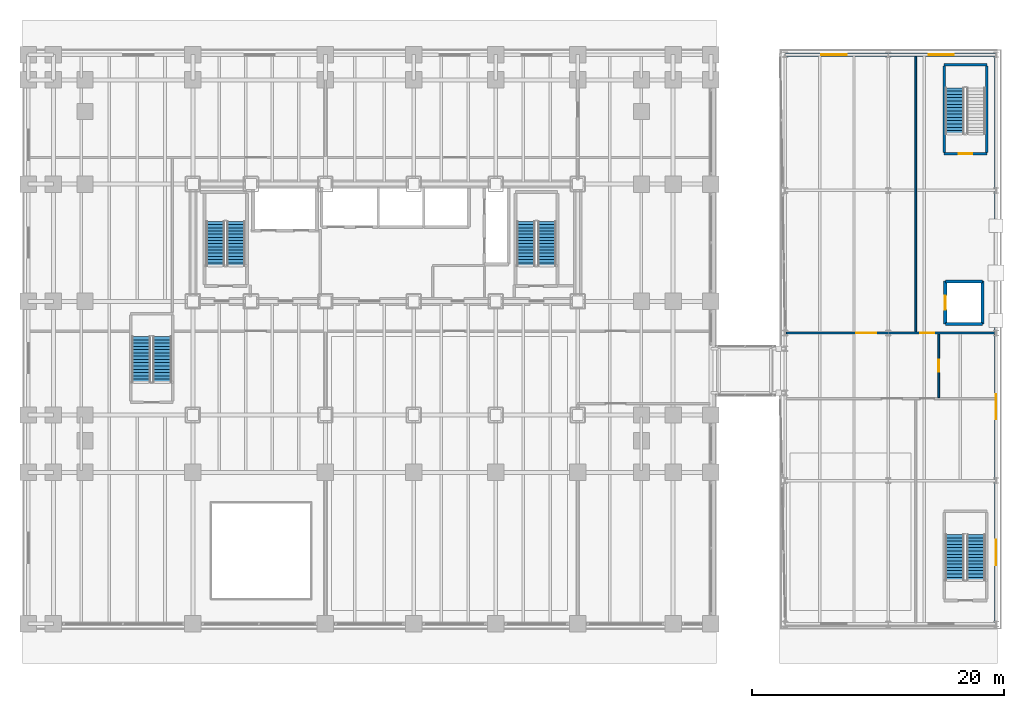
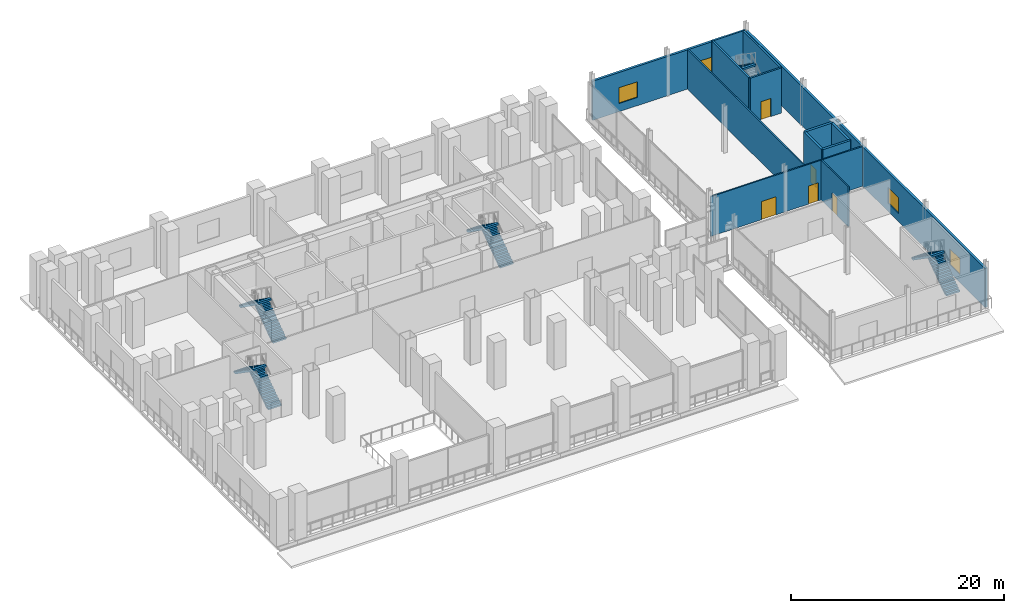
# One storey, part 22 of 32: 13 walls, 9 stair flights, 5 doors, 4 windows, 9 openings, 5 elements without a shape of their own.
"""IFC4 building model written with IfcOpenShell, lengths in metres."""

from ifc_helpers import new_model, si_unit, direction, frame, frame_2d, origin, place, context, subcontext, project, spatial, polyline, rectangle, outline, extrude, material, layer, layer_set, type_object, element, fill, aggregate, save


model = new_model("IFC4")

# Units and contexts
model_context = context("Model", 3, precision=1e-05, world=origin(), true_north=direction((0.0, 1.0)))
body_context = subcontext(model_context, "Body", "Model", "MODEL_VIEW")
ifc_project = project(units=[si_unit("LENGTHUNIT", "METRE"), si_unit("AREAUNIT", "SQUARE_METRE"), si_unit("VOLUMEUNIT", "CUBIC_METRE"), si_unit("PLANEANGLEUNIT", "RADIAN"), si_unit("MASSUNIT", "GRAM", prefix="KILO")], contexts=[model_context])

# Site, building, storey
site_placement = place(None, origin())
site = spatial("IfcSite", under=ifc_project, at=site_placement, CompositionType="ELEMENT")
building_placement = place(site_placement, origin())
building = spatial("IfcBuilding", under=site, at=building_placement, Name="Noeulbin Bourse Tower", CompositionType="ELEMENT")
storey_placement = place(building_placement, frame((0.0, 0.0, 5.800048828125)))
storey = spatial("IfcBuildingStorey", under=building, at=storey_placement, Name="L02", CompositionType="ELEMENT", Elevation=5.800048828125)

# Wall, openings, windows
ifc_material_1 = material(Name="Precast Concrete C40/50", Category="concrete")
ifc_layer_1 = layer(ifc_material_1, 0.25)
ifc_layer_set_1 = layer_set([ifc_layer_1], Name="Precast Concrete C40/50")
wall_type_1 = type_object("IfcWallType", Name="WAL-EXT-250", PredefinedType="STANDARD", material=ifc_layer_set_1)
wall_1_placement = place(storey_placement, frame((60.449951171875, 48.550048828125, 0.0), z_axis=(0.0, 0.0, 1.0), x_axis=(1.0, 0.0, 0.0)))
wall_1 = element("IfcWall", 1, at=wall_1_placement, inside=storey, type_object=wall_type_1, Name="Market Hall North Wall L02", PredefinedType="STANDARD", context=body_context, shape_type="SweptSolid", body=[
    extrude(rectangle(XDim=16.699951171875, YDim=0.25, at=frame_2d((8.35009765625, 0.0))), origin(), (0.0, 0.0, 1.0), 4.5),
])
opening_1_placement = place(wall_1_placement, frame((2.85009765625, 0.0, 0.949951171875)))
opening_1 = element("IfcOpeningElement", 2, at=opening_1_placement, cuts=wall_1, Name="Opening W-02", PredefinedType="OPENING", context=body_context, shape_type="SweptSolid", body=[
    extrude(rectangle(XDim=2.0, YDim=1.800048828125, at=frame_2d((1.0, 0.89990234375))), frame((0.0, 0.135009765625, 0.0), z_axis=(0.0, -1.0, 0.0), x_axis=(1.0, 0.0, 0.0)), (0.0, 0.0, 1.0), 0.27001953125),
])
opening_2_placement = place(wall_1_placement, frame((11.35009765625, 0.0, 0.949951171875)))
opening_2 = element("IfcOpeningElement", 3, at=opening_2_placement, cuts=wall_1, Name="Opening W-02", PredefinedType="OPENING", context=body_context, shape_type="SweptSolid", body=[
    extrude(rectangle(XDim=2.0, YDim=1.800048828125, at=frame_2d((1.0, 0.89990234375))), frame((0.0, 0.135009765625, 0.0), z_axis=(0.0, -1.0, 0.0), x_axis=(1.0, 0.0, 0.0)), (0.0, 0.0, 1.0), 0.27001953125),
])
ifc_material_2 = material(Name="Thermally Broken Aluminium Triple Glazing", Category="aluminium")
window_type = type_object("IfcWindowType", Name="WIN-MKT-2000x1800", PartitioningType="DOUBLE_PANEL_VERTICAL", PredefinedType="WINDOW", material=ifc_material_2)
window_1_placement = place(opening_1_placement, origin())
window_1 = element("IfcWindow", 4, at=window_1_placement, inside=storey, type_object=window_type, Name="Market North Window L02-1", OverallHeight=1.800048828125, OverallWidth=2.0, PartitioningType="SINGLE_PANEL", PredefinedType="WINDOW", context=body_context, shape_type="SweptSolid", body=[
    extrude(rectangle(XDim=2.0, YDim=1.800048828125, at=frame_2d((1.0, 0.89990234375))), frame((0.0, 0.030029296875, 0.0), z_axis=(0.0, -1.0, 0.0), x_axis=(1.0, 0.0, 0.0)), (0.0, 0.0, 1.0), 0.06005859375),
])
fill(opening_1, window_1)
window_2_placement = place(opening_2_placement, origin())
window_2 = element("IfcWindow", 5, at=window_2_placement, inside=storey, type_object=window_type, Name="Market North Window L02-2", OverallHeight=1.800048828125, OverallWidth=2.0, PartitioningType="SINGLE_PANEL", PredefinedType="WINDOW", context=body_context, shape_type="SweptSolid", body=[
    extrude(rectangle(XDim=2.0, YDim=1.800048828125, at=frame_2d((1.0, 0.89990234375))), frame((0.0, 0.030029296875, 0.0), z_axis=(0.0, -1.0, 0.0), x_axis=(1.0, 0.0, 0.0)), (0.0, 0.0, 1.0), 0.06005859375),
])
fill(opening_2, window_2)

wall_2_placement = place(storey_placement, frame((77.14990234375, 3.449951171875, 0.0), z_axis=(0.0, 0.0, 1.0), x_axis=(0.0, 1.0, 0.0)))
wall_2 = element("IfcWall", 6, at=wall_2_placement, inside=storey, type_object=wall_type_1, Name="Market Hall East Wall L02", PredefinedType="STANDARD", context=body_context, shape_type="SweptSolid", body=[
    extrude(rectangle(XDim=45.10009765625, YDim=0.25, at=frame_2d((22.550048828125, 0.0))), origin(), (0.0, 0.0, 1.0), 4.5),
])
opening_3_placement = place(wall_2_placement, frame((4.64990234375, 0.0, 0.949951171875)))
opening_3 = element("IfcOpeningElement", 7, at=opening_3_placement, cuts=wall_2, Name="Opening W-02", PredefinedType="OPENING", context=body_context, shape_type="SweptSolid", body=[
    extrude(rectangle(XDim=2.0, YDim=1.800048828125, at=frame_2d((1.0, 0.89990234375))), frame((0.0, 0.135009765625, 0.0), z_axis=(0.0, -1.0, 0.0), x_axis=(1.0, 0.0, 0.0)), (0.0, 0.0, 1.0), 0.27001953125),
])
opening_4_placement = place(wall_2_placement, frame((16.199951171875, 0.0, 0.949951171875)))
opening_4 = element("IfcOpeningElement", 8, at=opening_4_placement, cuts=wall_2, Name="Opening W-02", PredefinedType="OPENING", context=body_context, shape_type="SweptSolid", body=[
    extrude(rectangle(XDim=2.0, YDim=1.800048828125, at=frame_2d((1.0, 0.89990234375))), frame((0.0, 0.135009765625, 0.0), z_axis=(0.0, -1.0, 0.0), x_axis=(1.0, 0.0, 0.0)), (0.0, 0.0, 1.0), 0.27001953125),
])
window_3_placement = place(opening_3_placement, origin())
window_3 = element("IfcWindow", 9, at=window_3_placement, inside=storey, type_object=window_type, Name="Market East Window L02-1", OverallHeight=1.800048828125, OverallWidth=2.0, PartitioningType="SINGLE_PANEL", PredefinedType="WINDOW", context=body_context, shape_type="SweptSolid", body=[
    extrude(rectangle(XDim=2.0, YDim=1.800048828125, at=frame_2d((1.0, 0.89990234375))), frame((0.0, 0.030029296875, 0.0), z_axis=(0.0, -1.0, 0.0), x_axis=(1.0, 0.0, 0.0)), (0.0, 0.0, 1.0), 0.06005859375),
])
fill(opening_3, window_3)
window_4_placement = place(opening_4_placement, origin())
window_4 = element("IfcWindow", 10, at=window_4_placement, inside=storey, type_object=window_type, Name="Market East Window L02-2", OverallHeight=1.800048828125, OverallWidth=2.0, PartitioningType="SINGLE_PANEL", PredefinedType="WINDOW", context=body_context, shape_type="SweptSolid", body=[
    extrude(rectangle(XDim=2.0, YDim=1.800048828125, at=frame_2d((1.0, 0.89990234375))), frame((0.0, 0.030029296875, 0.0), z_axis=(0.0, -1.0, 0.0), x_axis=(1.0, 0.0, 0.0)), (0.0, 0.0, 1.0), 0.06005859375),
])
fill(opening_4, window_4)

# Wall, opening, door
ifc_material_3 = material(Name="Concrete C40/50", Category="concrete")
ifc_layer_2 = layer(ifc_material_3, 0.199951171875)
ifc_layer_set_2 = layer_set([ifc_layer_2], Name="Concrete C40/50")
wall_type_2 = type_object("IfcWallType", Name="WAL-FIRE-200", PredefinedType="STANDARD", material=ifc_layer_set_2)
wall_3_placement = place(storey_placement, frame((73.02001953125, 40.699951171875, 0.0), z_axis=(0.0, 0.0, 1.0), x_axis=(1.0, 0.0, 0.0)))
wall_3 = element("IfcWall", 11, at=wall_3_placement, inside=storey, type_object=wall_type_2, Name="Stair MST2 South Wall L02", PredefinedType="STANDARD", context=body_context, shape_type="SweptSolid", body=[
    extrude(rectangle(XDim=3.39990234375, YDim=0.199951171875, at=frame_2d((1.699951171875, 0.0))), origin(), (0.0, 0.0, 1.0), 5.179931640625),
])
opening_5_placement = place(wall_3_placement, frame((1.14990234375, 0.0, 0.0)))
opening_5 = element("IfcOpeningElement", 12, at=opening_5_placement, cuts=wall_3, Name="Opening FD-11", PredefinedType="OPENING", context=body_context, shape_type="SweptSolid", body=[
    extrude(rectangle(XDim=1.10009765625, YDim=2.080078125, at=frame_2d((0.550048828125, 1.0400390625))), frame((0.0, 0.10986328125, 0.0), z_axis=(0.0, -1.0, 0.0), x_axis=(1.0, 0.0, 0.0)), (0.0, 0.0, 1.0), 0.219970703125),
])
ifc_material_4 = material(Name="Fire-Rated Insulated Steel", Category="steel")
door_type_1 = type_object("IfcDoorType", Name="DR-FD60-1100", OperationType="SINGLE_SWING_LEFT", PredefinedType="DOOR", material=ifc_material_4)
door_1_placement = place(opening_5_placement, origin())
door_1 = element("IfcDoor", 13, at=door_1_placement, inside=storey, type_object=door_type_1, Name="Escape Stair Door MST2-L02", OperationType="SINGLE_SWING_RIGHT", OverallHeight=2.080078125, OverallWidth=1.10009765625, PredefinedType="DOOR", context=body_context, shape_type="SweptSolid", body=[
    extrude(rectangle(XDim=1.10009765625, YDim=2.080078125, at=frame_2d((0.550048828125, 1.0400390625))), frame((0.0, 0.02490234375, 0.0), z_axis=(0.0, -1.0, 0.0), x_axis=(1.0, 0.0, 0.0)), (0.0, 0.0, 1.0), 0.050048828125),
])
fill(opening_5, door_1)

# Walls
wall_4_placement = place(storey_placement, frame((73.02001953125, 47.760009765625, 0.0), z_axis=(0.0, 0.0, 1.0), x_axis=(1.0, 0.0, 0.0)))
element("IfcWall", 14, at=wall_4_placement, inside=storey, type_object=wall_type_2, Name="Stair MST2 North Wall L02", PredefinedType="STANDARD", context=body_context, shape_type="SweptSolid", body=[
    extrude(rectangle(XDim=3.39990234375, YDim=0.199951171875, at=frame_2d((1.699951171875, 0.0))), origin(), (0.0, 0.0, 1.0), 5.179931640625),
])
for number, where, z_axis, x_axis, name in (
    (15, (73.0400390625, 40.800048828125, 0.0), (0.0, 0.0, 1.0), (0.0, 1.0, 0.0), "Stair MST2 West Wall L02"),
    (16, (76.39990234375, 40.800048828125, 0.0), (0.0, 0.0, 1.0), (0.0, 1.0, 0.0), "Stair MST2 East Wall L02"),
):
    element("IfcWall", number, at=place(storey_placement, frame(where, z_axis=z_axis, x_axis=x_axis)), inside=storey, type_object=wall_type_2, Name=name, PredefinedType="STANDARD", context=body_context, shape_type="SweptSolid", body=[
        extrude(rectangle(XDim=6.85986328125, YDim=0.199951171875, at=frame_2d((3.429931640625, 0.0))), origin(), (0.0, 0.0, 1.0), 5.179931640625),
    ])

# Wall, openings, doors
ifc_material_5 = material(Name="Steel Stud Acoustic Gypsum Board", Category="steel")
ifc_layer_3 = layer(ifc_material_5, 0.14990234375)
ifc_layer_set_3 = layer_set([ifc_layer_3], Name="Steel Stud Acoustic Gypsum Board")
wall_type_3 = type_object("IfcWallType", Name="WAL-PRT-150", PredefinedType="PARTITIONING", material=ifc_layer_set_3)
wall_5_placement = place(storey_placement, frame((60.530029296875, 26.5, 0.0), z_axis=(0.0, 0.0, 1.0), x_axis=(1.0, 0.0, 0.0)))
wall_5 = element("IfcWall", 17, at=wall_5_placement, inside=storey, type_object=wall_type_3, Name="Interior Partition Wall L02-05", PredefinedType="PARTITIONING", context=body_context, shape_type="SweptSolid", body=[
    extrude(rectangle(XDim=16.489990234375, YDim=0.14990234375, at=frame_2d((8.2451171875, 0.0))), origin(), (0.0, 0.0, 1.0), 4.56005859375),
])
opening_6_placement = place(wall_5_placement, frame((5.52001953125, 0.0, 0.0)))
opening_6 = element("IfcOpeningElement", 18, at=opening_6_placement, cuts=wall_5, Name="Opening ID-16", PredefinedType="OPENING", context=body_context, shape_type="SweptSolid", body=[
    extrude(rectangle(XDim=1.60009765625, YDim=2.080078125, at=frame_2d((0.800048828125, 1.0400390625))), frame((0.0, 0.0849609375, 0.0), z_axis=(0.0, -1.0, 0.0), x_axis=(1.0, 0.0, 0.0)), (0.0, 0.0, 1.0), 0.169921875),
])
opening_7_placement = place(wall_5_placement, frame((10.60009765625, 0.0, 0.0)))
opening_7 = element("IfcOpeningElement", 19, at=opening_7_placement, cuts=wall_5, Name="Opening FD-11", PredefinedType="OPENING", context=body_context, shape_type="SweptSolid", body=[
    extrude(rectangle(XDim=1.10009765625, YDim=2.080078125, at=frame_2d((0.550048828125, 1.0400390625))), frame((0.0, 0.0849609375, 0.0), z_axis=(0.0, -1.0, 0.0), x_axis=(1.0, 0.0, 0.0)), (0.0, 0.0, 1.0), 0.169921875),
])
ifc_material_6 = material(Name="Acoustic Glazed Aluminium", Category="aluminium")
door_type_2 = type_object("IfcDoorType", Name="DR-DBL-1600", OperationType="DOUBLE_DOOR_SINGLE_SWING", PredefinedType="DOOR", material=ifc_material_6)
door_2_placement = place(opening_6_placement, origin())
door_2 = element("IfcDoor", 20, at=door_2_placement, inside=storey, type_object=door_type_2, Name="Interior Door L02-09", OperationType="DOUBLE_DOOR_SINGLE_SWING", OverallHeight=2.080078125, OverallWidth=1.60009765625, PredefinedType="DOOR", context=body_context, shape_type="SweptSolid", body=[
    extrude(rectangle(XDim=1.60009765625, YDim=2.080078125, at=frame_2d((0.800048828125, 1.0400390625))), frame((0.0, 0.02490234375, 0.0), z_axis=(0.0, -1.0, 0.0), x_axis=(1.0, 0.0, 0.0)), (0.0, 0.0, 1.0), 0.050048828125),
])
fill(opening_6, door_2)
door_3_placement = place(opening_7_placement, origin())
door_3 = element("IfcDoor", 21, at=door_3_placement, inside=storey, type_object=door_type_1, Name="Market North Stair Corridor Door L02", OperationType="SINGLE_SWING_LEFT", OverallHeight=2.080078125, OverallWidth=1.10009765625, PredefinedType="DOOR", context=body_context, shape_type="SweptSolid", body=[
    extrude(rectangle(XDim=1.10009765625, YDim=2.080078125, at=frame_2d((0.550048828125, 1.0400390625))), frame((0.0, 0.02490234375, 0.0), z_axis=(0.0, -1.0, 0.0), x_axis=(1.0, 0.0, 0.0)), (0.0, 0.0, 1.0), 0.050048828125),
])
fill(opening_7, door_3)

# Wall, opening, door
wall_6_placement = place(storey_placement, frame((72.60009765625, 21.385009765625, 0.0), z_axis=(0.0, 0.0, 1.0), x_axis=(0.0, 1.0, 0.0)))
wall_6 = element("IfcWall", 22, at=wall_6_placement, inside=storey, type_object=wall_type_3, Name="Interior Partition Wall L02-14", PredefinedType="PARTITIONING", context=body_context, shape_type="SweptSolid", body=[
    extrude(rectangle(XDim=5.030029296875, YDim=0.14990234375, at=frame_2d((2.51513671875, 0.0))), origin(), (0.0, 0.0, 1.0), 4.56005859375),
])
opening_8_placement = place(wall_6_placement, frame((2.0400390625, 0.0, 0.0)))
opening_8 = element("IfcOpeningElement", 23, at=opening_8_placement, cuts=wall_6, Name="Opening ID-09", PredefinedType="OPENING", context=body_context, shape_type="SweptSolid", body=[
    extrude(rectangle(XDim=0.949951171875, YDim=2.080078125, at=frame_2d((0.47509765625, 1.0400390625))), frame((0.0, 0.0849609375, 0.0), z_axis=(0.0, -1.0, 0.0), x_axis=(1.0, 0.0, 0.0)), (0.0, 0.0, 1.0), 0.169921875),
])
ifc_material_7 = material(Name="Acoustic Solid-Core Timber", Category="wood")
door_type_3 = type_object("IfcDoorType", Name="DR-SINGLE-950", OperationType="SINGLE_SWING_LEFT", PredefinedType="DOOR", material=ifc_material_7)
door_4_placement = place(opening_8_placement, origin())
door_4 = element("IfcDoor", 24, at=door_4_placement, inside=storey, type_object=door_type_3, Name="Market Accessible Washroom Door L02", OperationType="SINGLE_SWING_RIGHT", OverallHeight=2.080078125, OverallWidth=0.949951171875, PredefinedType="DOOR", context=body_context, shape_type="SweptSolid", body=[
    extrude(rectangle(XDim=0.949951171875, YDim=2.080078125, at=frame_2d((0.47509765625, 1.0400390625))), frame((0.0, 0.02490234375, 0.0), z_axis=(0.0, -1.0, 0.0), x_axis=(1.0, 0.0, 0.0)), (0.0, 0.0, 1.0), 0.050048828125),
])
fill(opening_8, door_4)

# Wall
wall_7_placement = place(storey_placement, frame((70.780029296875, 26.5849609375, 0.0), z_axis=(0.0, 0.0, 1.0), x_axis=(0.0, 1.0, 0.0)))
element("IfcWall", 25, at=wall_7_placement, inside=storey, type_object=wall_type_3, Name="Interior Partition Wall L02-16", PredefinedType="PARTITIONING", context=body_context, shape_type="SweptSolid", body=[
    extrude(rectangle(XDim=21.8349609375, YDim=0.14990234375, at=frame_2d((10.91748046875, 0.0))), origin(), (0.0, 0.0, 1.0), 4.56005859375),
])

# Wall, opening, door
ifc_layer_4 = layer(ifc_material_3, 0.25)
ifc_layer_set_4 = layer_set([ifc_layer_4], Name="Concrete C40/50")
wall_type_4 = type_object("IfcWallType", Name="WAL-SHFT-250", PredefinedType="STANDARD", material=ifc_layer_set_4)
wall_8_placement = place(storey_placement, frame((73.1201171875, 27.199951171875, 0.0), z_axis=(0.0, 0.0, 1.0), x_axis=(0.0, 1.0, 0.0)))
wall_8 = element("IfcWall", 26, at=wall_8_placement, inside=storey, type_object=wall_type_4, Name="Market Lift Shaft Front Wall L02", PredefinedType="STANDARD", context=body_context, shape_type="SweptSolid", body=[
    extrude(rectangle(XDim=3.400146484375, YDim=0.25, at=frame_2d((1.7001953125, 0.0))), origin(), (0.0, 0.0, 1.0), 5.14990234375),
])
opening_9_placement = place(wall_8_placement, frame((1.14990234375, 0.0, 0.0)))
opening_9 = element("IfcOpeningElement", 27, at=opening_9_placement, cuts=wall_8, Name="Opening LD-11", PredefinedType="OPENING", context=body_context, shape_type="SweptSolid", body=[
    extrude(rectangle(XDim=1.10009765625, YDim=2.080078125, at=frame_2d((0.550048828125, 1.0400390625))), frame((0.0, 0.135009765625, 0.0), z_axis=(0.0, -1.0, 0.0), x_axis=(1.0, 0.0, 0.0)), (0.0, 0.0, 1.0), 0.27001953125),
])
ifc_material_8 = material(Name="Brushed Stainless Steel 316", Category="steel")
door_type_4 = type_object("IfcDoorType", Name="DR-LIFT-1100", OperationType="SLIDING_TO_LEFT", PredefinedType="DOOR", material=ifc_material_8)
door_5_placement = place(opening_9_placement, origin())
door_5 = element("IfcDoor", 28, at=door_5_placement, inside=storey, type_object=door_type_4, Name="Lift Landing Door LD-ML-1-L02", OperationType="SLIDING_TO_LEFT", OverallHeight=2.080078125, OverallWidth=1.10009765625, PredefinedType="DOOR", context=body_context, shape_type="SweptSolid", body=[
    extrude(rectangle(XDim=1.10009765625, YDim=2.080078125, at=frame_2d((0.550048828125, 1.0400390625))), frame((0.0, 0.02490234375, 0.0), z_axis=(0.0, -1.0, 0.0), x_axis=(1.0, 0.0, 0.0)), (0.0, 0.0, 1.0), 0.050048828125),
])
fill(opening_9, door_5)

# Walls
wall_9_placement = place(storey_placement, frame((76.080078125, 27.199951171875, 0.0), z_axis=(0.0, 0.0, 1.0), x_axis=(0.0, 1.0, 0.0)))
element("IfcWall", 29, at=wall_9_placement, inside=storey, type_object=wall_type_4, Name="Market Lift Shaft Back Wall L02", PredefinedType="STANDARD", context=body_context, shape_type="SweptSolid", body=[
    extrude(rectangle(XDim=3.400146484375, YDim=0.25, at=frame_2d((1.7001953125, 0.0))), origin(), (0.0, 0.0, 1.0), 5.14990234375),
])
for number, where, z_axis, x_axis, name in (
    (30, (73.1201171875, 27.219970703125, 0.0), (0.0, 0.0, 1.0), (1.0, 0.0, 0.0), "Market Lift Shaft South Wall L02"),
    (31, (73.1201171875, 30.580078125, 0.0), (0.0, 0.0, 1.0), (1.0, 0.0, 0.0), "Market Lift Shaft North Wall L02"),
):
    element("IfcWall", number, at=place(storey_placement, frame(where, z_axis=z_axis, x_axis=x_axis)), inside=storey, type_object=wall_type_4, Name=name, PredefinedType="STANDARD", context=body_context, shape_type="SweptSolid", body=[
        extrude(rectangle(XDim=2.9599609375, YDim=0.25, at=frame_2d((1.47998046875, 0.0))), origin(), (0.0, 0.0, 1.0), 5.14990234375),
    ])

# Stair, stair flights
stair_type_1 = type_object("IfcStairType", Name="STR-AUX-1620", PredefinedType="HALF_TURN_STAIR", material=ifc_material_3)
stair_1_placement = place(storey_placement, origin())
stair_1 = element("IfcStair", 32, at=stair_1_placement, inside=storey, type_object=stair_type_1, Name="L02 ST-P1", PredefinedType="HALF_TURN_STAIR")
stair_flight_type_1 = type_object("IfcStairFlightType", Name="SFL-AUX-1620", PredefinedType="STRAIGHT", material=ifc_material_3)
stair_flight_1_placement = place(storey_placement, frame((11.070068359375, 22.580078125, 0.0), z_axis=(0.0, 0.0, 1.0), x_axis=(0.0, 1.0, 0.0)))
stair_flight_1 = element("IfcStairFlight", 33, at=stair_flight_1_placement, type_object=stair_flight_type_1, Name="ST-P1 flight 1", NumberOfRisers=15, NumberOfTreads=14, PredefinedType="STRAIGHT", RiserHeight=0.18, TreadLength=0.26, context=body_context, shape_type="SweptSolid", body=[
    extrude(outline(polyline([(0.0, 0.0), (0.0, 0.179931640625), (0.260009765625, 0.179931640625), (0.260009765625, 0.360107421875), (0.52001953125, 0.360107421875), (0.52001953125, 0.5400390625), (0.780029296875, 0.5400390625), (0.780029296875, 0.719970703125), (1.0400390625, 0.719970703125), (1.0400390625, 0.89990234375), (1.300048828125, 0.89990234375), (1.300048828125, 1.080078125), (1.56005859375, 1.080078125), (1.56005859375, 1.260009765625), (1.820068359375, 1.260009765625), (1.820068359375, 1.43994140625), (2.080078125, 1.43994140625), (2.080078125, 1.6201171875), (2.340087890625, 1.6201171875), (2.340087890625, 1.800048828125), (2.60009765625, 1.800048828125), (2.60009765625, 1.97998046875), (2.860107421875, 1.97998046875), (2.860107421875, 2.159912109375), (3.1201171875, 2.159912109375), (3.1201171875, 2.340087890625), (3.3798828125, 2.340087890625), (3.3798828125, 2.52001953125), (3.639892578125, 2.52001953125), (3.639892578125, 2.699951171875), (3.639892578125, 2.30126953125), (0.316162109375, 0.0), (0.0, 0.0)])), frame((0.0, 0.72998046875, 0.0), z_axis=(0.0, -1.0, 0.0), x_axis=(1.0, 0.0, 0.0)), (0.0, 0.0, 1.0), 1.4599609375),
])
stair_flight_2_placement = place(storey_placement, frame((9.409912109375, 26.219970703125, 2.699951171875), z_axis=(0.0, 0.0, 1.0), x_axis=(0.0, -1.0, 0.0)))
stair_flight_2 = element("IfcStairFlight", 34, at=stair_flight_2_placement, type_object=stair_flight_type_1, Name="ST-P1 flight 2", NumberOfRisers=15, NumberOfTreads=14, PredefinedType="STRAIGHT", RiserHeight=0.18, TreadLength=0.26, context=body_context, shape_type="SweptSolid", body=[
    extrude(outline(polyline([(0.0, 0.0), (0.0, 0.179931640625), (0.260009765625, 0.179931640625), (0.260009765625, 0.360107421875), (0.52001953125, 0.360107421875), (0.52001953125, 0.5400390625), (0.780029296875, 0.5400390625), (0.780029296875, 0.719970703125), (1.0400390625, 0.719970703125), (1.0400390625, 0.89990234375), (1.300048828125, 0.89990234375), (1.300048828125, 1.080078125), (1.56005859375, 1.080078125), (1.56005859375, 1.260009765625), (1.820068359375, 1.260009765625), (1.820068359375, 1.43994140625), (2.080078125, 1.43994140625), (2.080078125, 1.6201171875), (2.340087890625, 1.6201171875), (2.340087890625, 1.800048828125), (2.60009765625, 1.800048828125), (2.60009765625, 1.97998046875), (2.860107421875, 1.97998046875), (2.860107421875, 2.159912109375), (3.1201171875, 2.159912109375), (3.1201171875, 2.340087890625), (3.3798828125, 2.340087890625), (3.3798828125, 2.52001953125), (3.639892578125, 2.52001953125), (3.639892578125, 2.699951171875), (3.639892578125, 2.30126953125), (0.316162109375, 0.0), (0.0, 0.0)])), frame((0.0, 0.72998046875, 0.0), z_axis=(0.0, -1.0, 0.0), x_axis=(1.0, 0.0, 0.0)), (0.0, 0.0, 1.0), 1.4599609375),
])
aggregate(stair_1, [stair_flight_1, stair_flight_2])

stair_type_2 = type_object("IfcStairType", Name="STR-CORE-1560", PredefinedType="HALF_TURN_STAIR", material=ifc_material_3)
stair_2_placement = place(storey_placement, origin())
stair_2 = element("IfcStair", 35, at=stair_2_placement, inside=storey, type_object=stair_type_2, Name="L02 ST-1", PredefinedType="HALF_TURN_STAIR")
stair_flight_type_2 = type_object("IfcStairFlightType", Name="SFL-CORE-1560", PredefinedType="STRAIGHT", material=ifc_material_3)
stair_flight_3_placement = place(storey_placement, frame((16.925048828125, 31.81005859375, 0.0), z_axis=(0.0, 0.0, 1.0), x_axis=(0.0, 1.0, 0.0)))
stair_flight_3 = element("IfcStairFlight", 36, at=stair_flight_3_placement, type_object=stair_flight_type_2, Name="ST-1 flight 1", NumberOfRisers=15, NumberOfTreads=14, PredefinedType="STRAIGHT", RiserHeight=0.18, TreadLength=0.252, context=body_context, shape_type="SweptSolid", body=[
    extrude(outline(polyline([(0.0, 0.0), (0.0, 0.179931640625), (0.251953125, 0.179931640625), (0.251953125, 0.360107421875), (0.50390625, 0.360107421875), (0.50390625, 0.5400390625), (0.756103515625, 0.5400390625), (0.756103515625, 0.719970703125), (1.008056640625, 0.719970703125), (1.008056640625, 0.89990234375), (1.260009765625, 0.89990234375), (1.260009765625, 1.080078125), (1.511962890625, 1.080078125), (1.511962890625, 1.260009765625), (1.763916015625, 1.260009765625), (1.763916015625, 1.43994140625), (2.01611328125, 1.43994140625), (2.01611328125, 1.6201171875), (2.26806640625, 1.6201171875), (2.26806640625, 1.800048828125), (2.52001953125, 1.800048828125), (2.52001953125, 1.97998046875), (2.77197265625, 1.97998046875), (2.77197265625, 2.159912109375), (3.02392578125, 2.159912109375), (3.02392578125, 2.340087890625), (3.27587890625, 2.340087890625), (3.27587890625, 2.52001953125), (3.528076171875, 2.52001953125), (3.528076171875, 2.699951171875), (3.528076171875, 2.298828125), (0.3095703125, 0.0), (0.0, 0.0)])), frame((0.0, 0.72509765625, 0.0), z_axis=(0.0, -1.0, 0.0), x_axis=(1.0, 0.0, 0.0)), (0.0, 0.0, 1.0), 1.449951171875),
])
stair_flight_4_placement = place(storey_placement, frame((15.27490234375, 35.337890625, 2.699951171875), z_axis=(0.0, 0.0, 1.0), x_axis=(0.0, -1.0, 0.0)))
stair_flight_4 = element("IfcStairFlight", 37, at=stair_flight_4_placement, type_object=stair_flight_type_2, Name="ST-1 flight 2", NumberOfRisers=15, NumberOfTreads=14, PredefinedType="STRAIGHT", RiserHeight=0.18, TreadLength=0.252, context=body_context, shape_type="SweptSolid", body=[
    extrude(outline(polyline([(0.0, 0.0), (0.0, 0.179931640625), (0.251953125, 0.179931640625), (0.251953125, 0.360107421875), (0.50390625, 0.360107421875), (0.50390625, 0.5400390625), (0.756103515625, 0.5400390625), (0.756103515625, 0.719970703125), (1.008056640625, 0.719970703125), (1.008056640625, 0.89990234375), (1.260009765625, 0.89990234375), (1.260009765625, 1.080078125), (1.511962890625, 1.080078125), (1.511962890625, 1.260009765625), (1.763916015625, 1.260009765625), (1.763916015625, 1.43994140625), (2.01611328125, 1.43994140625), (2.01611328125, 1.6201171875), (2.26806640625, 1.6201171875), (2.26806640625, 1.800048828125), (2.52001953125, 1.800048828125), (2.52001953125, 1.97998046875), (2.77197265625, 1.97998046875), (2.77197265625, 2.159912109375), (3.02392578125, 2.159912109375), (3.02392578125, 2.340087890625), (3.27587890625, 2.340087890625), (3.27587890625, 2.52001953125), (3.528076171875, 2.52001953125), (3.528076171875, 2.699951171875), (3.528076171875, 2.298828125), (0.3095703125, 0.0), (0.0, 0.0)])), frame((0.0, 0.72509765625, 0.0), z_axis=(0.0, -1.0, 0.0), x_axis=(1.0, 0.0, 0.0)), (0.0, 0.0, 1.0), 1.449951171875),
])
aggregate(stair_2, [stair_flight_3, stair_flight_4])

stair_3_placement = place(storey_placement, origin())
stair_3 = element("IfcStair", 38, at=stair_3_placement, inside=storey, type_object=stair_type_2, Name="L02 ST-2", PredefinedType="HALF_TURN_STAIR")
stair_flight_5_placement = place(storey_placement, frame((41.554931640625, 31.81005859375, 0.0), z_axis=(0.0, 0.0, 1.0), x_axis=(0.0, 1.0, 0.0)))
stair_flight_5 = element("IfcStairFlight", 39, at=stair_flight_5_placement, type_object=stair_flight_type_2, Name="ST-2 flight 1", NumberOfRisers=15, NumberOfTreads=14, PredefinedType="STRAIGHT", RiserHeight=0.18, TreadLength=0.252, context=body_context, shape_type="SweptSolid", body=[
    extrude(outline(polyline([(0.0, 0.0), (0.0, 0.179931640625), (0.251953125, 0.179931640625), (0.251953125, 0.360107421875), (0.50390625, 0.360107421875), (0.50390625, 0.5400390625), (0.756103515625, 0.5400390625), (0.756103515625, 0.719970703125), (1.008056640625, 0.719970703125), (1.008056640625, 0.89990234375), (1.260009765625, 0.89990234375), (1.260009765625, 1.080078125), (1.511962890625, 1.080078125), (1.511962890625, 1.260009765625), (1.763916015625, 1.260009765625), (1.763916015625, 1.43994140625), (2.01611328125, 1.43994140625), (2.01611328125, 1.6201171875), (2.26806640625, 1.6201171875), (2.26806640625, 1.800048828125), (2.52001953125, 1.800048828125), (2.52001953125, 1.97998046875), (2.77197265625, 1.97998046875), (2.77197265625, 2.159912109375), (3.02392578125, 2.159912109375), (3.02392578125, 2.340087890625), (3.27587890625, 2.340087890625), (3.27587890625, 2.52001953125), (3.528076171875, 2.52001953125), (3.528076171875, 2.699951171875), (3.528076171875, 2.298828125), (0.3095703125, 0.0), (0.0, 0.0)])), frame((0.0, 0.72509765625, 0.0), z_axis=(0.0, -1.0, 0.0), x_axis=(1.0, 0.0, 0.0)), (0.0, 0.0, 1.0), 1.449951171875),
])
stair_flight_6_placement = place(storey_placement, frame((39.905029296875, 35.337890625, 2.699951171875), z_axis=(0.0, 0.0, 1.0), x_axis=(0.0, -1.0, 0.0)))
stair_flight_6 = element("IfcStairFlight", 40, at=stair_flight_6_placement, type_object=stair_flight_type_2, Name="ST-2 flight 2", NumberOfRisers=15, NumberOfTreads=14, PredefinedType="STRAIGHT", RiserHeight=0.18, TreadLength=0.252, context=body_context, shape_type="SweptSolid", body=[
    extrude(outline(polyline([(0.0, 0.0), (0.0, 0.179931640625), (0.251953125, 0.179931640625), (0.251953125, 0.360107421875), (0.50390625, 0.360107421875), (0.50390625, 0.5400390625), (0.756103515625, 0.5400390625), (0.756103515625, 0.719970703125), (1.008056640625, 0.719970703125), (1.008056640625, 0.89990234375), (1.260009765625, 0.89990234375), (1.260009765625, 1.080078125), (1.511962890625, 1.080078125), (1.511962890625, 1.260009765625), (1.763916015625, 1.260009765625), (1.763916015625, 1.43994140625), (2.01611328125, 1.43994140625), (2.01611328125, 1.6201171875), (2.26806640625, 1.6201171875), (2.26806640625, 1.800048828125), (2.52001953125, 1.800048828125), (2.52001953125, 1.97998046875), (2.77197265625, 1.97998046875), (2.77197265625, 2.159912109375), (3.02392578125, 2.159912109375), (3.02392578125, 2.340087890625), (3.27587890625, 2.340087890625), (3.27587890625, 2.52001953125), (3.528076171875, 2.52001953125), (3.528076171875, 2.699951171875), (3.528076171875, 2.298828125), (0.3095703125, 0.0), (0.0, 0.0)])), frame((0.0, 0.72509765625, 0.0), z_axis=(0.0, -1.0, 0.0), x_axis=(1.0, 0.0, 0.0)), (0.0, 0.0, 1.0), 1.449951171875),
])
aggregate(stair_3, [stair_flight_5, stair_flight_6])

stair_type_3 = type_object("IfcStairType", Name="STR-MKT-1480", PredefinedType="HALF_TURN_STAIR", material=ifc_material_3)
stair_4_placement = place(storey_placement, origin())
stair_4 = element("IfcStair", 41, at=stair_4_placement, inside=storey, type_object=stair_type_3, Name="L02 MST-1", PredefinedType="HALF_TURN_STAIR")
stair_flight_type_3 = type_object("IfcStairFlightType", Name="SFL-MKT-1480", PredefinedType="STRAIGHT", material=ifc_material_3)
stair_flight_7_placement = place(storey_placement, frame((75.56005859375, 6.8798828125, 0.0), z_axis=(0.0, 0.0, 1.0), x_axis=(0.0, 1.0, 0.0)))
stair_flight_7 = element("IfcStairFlight", 42, at=stair_flight_7_placement, type_object=stair_flight_type_3, Name="MST-1 flight 1", NumberOfRisers=15, NumberOfTreads=14, PredefinedType="STRAIGHT", RiserHeight=0.18, TreadLength=0.26, context=body_context, shape_type="SweptSolid", body=[
    extrude(outline(polyline([(0.0, 0.0), (0.0, 0.179931640625), (0.260009765625, 0.179931640625), (0.260009765625, 0.360107421875), (0.52001953125, 0.360107421875), (0.52001953125, 0.5400390625), (0.780029296875, 0.5400390625), (0.780029296875, 0.719970703125), (1.0400390625, 0.719970703125), (1.0400390625, 0.89990234375), (1.300048828125, 0.89990234375), (1.300048828125, 1.080078125), (1.56005859375, 1.080078125), (1.56005859375, 1.260009765625), (1.820068359375, 1.260009765625), (1.820068359375, 1.43994140625), (2.080078125, 1.43994140625), (2.080078125, 1.6201171875), (2.340087890625, 1.6201171875), (2.340087890625, 1.800048828125), (2.60009765625, 1.800048828125), (2.60009765625, 1.97998046875), (2.860107421875, 1.97998046875), (2.860107421875, 2.159912109375), (3.1201171875, 2.159912109375), (3.1201171875, 2.340087890625), (3.3798828125, 2.340087890625), (3.3798828125, 2.52001953125), (3.639892578125, 2.52001953125), (3.639892578125, 2.699951171875), (3.639892578125, 2.30126953125), (0.316162109375, 0.0), (0.0, 0.0)])), frame((0.0, 0.739990234375, 0.0), z_axis=(0.0, -1.0, 0.0), x_axis=(1.0, 0.0, 0.0)), (0.0, 0.0, 1.0), 1.47998046875),
])
stair_flight_8_placement = place(storey_placement, frame((73.8798828125, 10.52001953125, 2.699951171875), z_axis=(0.0, 0.0, 1.0), x_axis=(0.0, -1.0, 0.0)))
stair_flight_8 = element("IfcStairFlight", 43, at=stair_flight_8_placement, type_object=stair_flight_type_3, Name="MST-1 flight 2", NumberOfRisers=15, NumberOfTreads=14, PredefinedType="STRAIGHT", RiserHeight=0.18, TreadLength=0.26, context=body_context, shape_type="SweptSolid", body=[
    extrude(outline(polyline([(0.0, 0.0), (0.0, 0.179931640625), (0.260009765625, 0.179931640625), (0.260009765625, 0.360107421875), (0.52001953125, 0.360107421875), (0.52001953125, 0.5400390625), (0.780029296875, 0.5400390625), (0.780029296875, 0.719970703125), (1.0400390625, 0.719970703125), (1.0400390625, 0.89990234375), (1.300048828125, 0.89990234375), (1.300048828125, 1.080078125), (1.56005859375, 1.080078125), (1.56005859375, 1.260009765625), (1.820068359375, 1.260009765625), (1.820068359375, 1.43994140625), (2.080078125, 1.43994140625), (2.080078125, 1.6201171875), (2.340087890625, 1.6201171875), (2.340087890625, 1.800048828125), (2.60009765625, 1.800048828125), (2.60009765625, 1.97998046875), (2.860107421875, 1.97998046875), (2.860107421875, 2.159912109375), (3.1201171875, 2.159912109375), (3.1201171875, 2.340087890625), (3.3798828125, 2.340087890625), (3.3798828125, 2.52001953125), (3.639892578125, 2.52001953125), (3.639892578125, 2.699951171875), (3.639892578125, 2.30126953125), (0.316162109375, 0.0), (0.0, 0.0)])), frame((0.0, 0.739990234375, 0.0), z_axis=(0.0, -1.0, 0.0), x_axis=(1.0, 0.0, 0.0)), (0.0, 0.0, 1.0), 1.47998046875),
])
aggregate(stair_4, [stair_flight_7, stair_flight_8])

# Stair, stair flight
stair_5_placement = place(storey_placement, origin())
stair_5 = element("IfcStair", 44, at=stair_5_placement, inside=storey, type_object=stair_type_3, Name="L02 MST-2", PredefinedType="HALF_TURN_STAIR")
stair_flight_9_placement = place(storey_placement, frame((73.8798828125, 45.919921875, 2.699951171875), z_axis=(0.0, 0.0, 1.0), x_axis=(0.0, -1.0, 0.0)))
stair_flight_9 = element("IfcStairFlight", 45, at=stair_flight_9_placement, type_object=stair_flight_type_3, Name="MST-2 flight 2", NumberOfRisers=15, NumberOfTreads=14, PredefinedType="STRAIGHT", RiserHeight=0.18, TreadLength=0.26, context=body_context, shape_type="SweptSolid", body=[
    extrude(outline(polyline([(0.0, 0.0), (0.0, 0.179931640625), (0.260009765625, 0.179931640625), (0.260009765625, 0.360107421875), (0.52001953125, 0.360107421875), (0.52001953125, 0.5400390625), (0.780029296875, 0.5400390625), (0.780029296875, 0.719970703125), (1.0400390625, 0.719970703125), (1.0400390625, 0.89990234375), (1.300048828125, 0.89990234375), (1.300048828125, 1.080078125), (1.56005859375, 1.080078125), (1.56005859375, 1.260009765625), (1.820068359375, 1.260009765625), (1.820068359375, 1.43994140625), (2.080078125, 1.43994140625), (2.080078125, 1.6201171875), (2.340087890625, 1.6201171875), (2.340087890625, 1.800048828125), (2.60009765625, 1.800048828125), (2.60009765625, 1.97998046875), (2.860107421875, 1.97998046875), (2.860107421875, 2.159912109375), (3.1201171875, 2.159912109375), (3.1201171875, 2.340087890625), (3.3798828125, 2.340087890625), (3.3798828125, 2.52001953125), (3.639892578125, 2.52001953125), (3.639892578125, 2.699951171875), (3.639892578125, 2.30126953125), (0.316162109375, 0.0), (0.0, 0.0)])), frame((0.0, 0.739990234375, 0.0), z_axis=(0.0, -1.0, 0.0), x_axis=(1.0, 0.0, 0.0)), (0.0, 0.0, 1.0), 1.47998046875),
])
aggregate(stair_5, [stair_flight_9])

save(model, "model.ifc")
